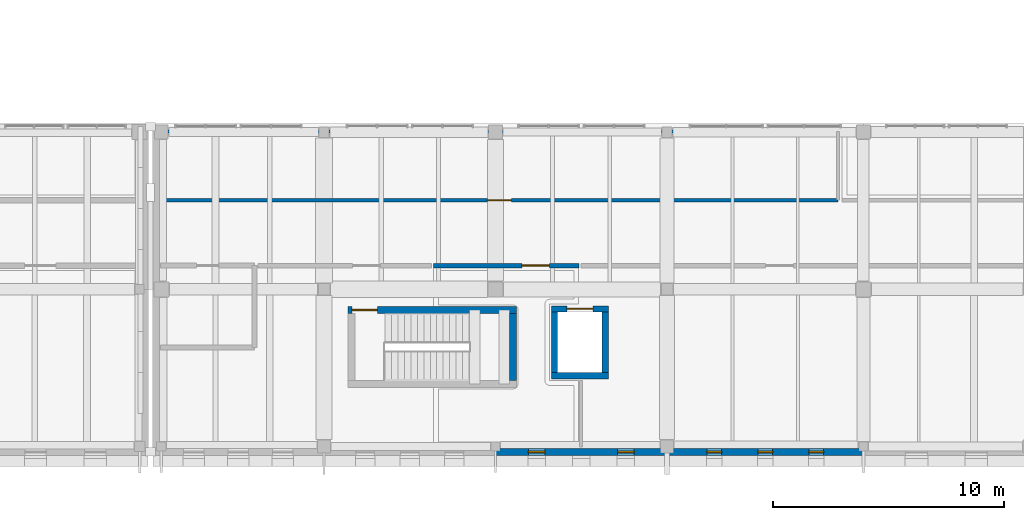
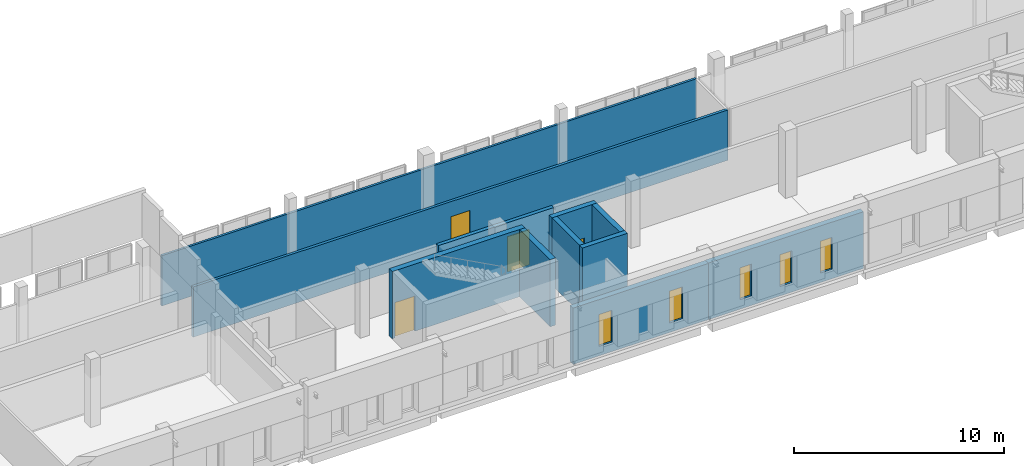
# One storey, part 55 of 76: 11 walls, 5 windows, 4 doors, 9 openings.
"""IFC4 building model written with IfcOpenShell, lengths in metres."""

from ifc_helpers import new_model, si_unit, direction, frame, frame_2d, origin, place, context, subcontext, project, spatial, rectangle, extrude, material, layer, layer_set, type_object, element, fill, save


model = new_model("IFC4")

# Units and contexts
model_context = context("Model", 3, precision=1e-05, world=origin(), true_north=direction((0.0, 1.0)))
body_context = subcontext(model_context, "Body", "Model", "MODEL_VIEW")
ifc_project = project(units=[si_unit("LENGTHUNIT", "METRE"), si_unit("AREAUNIT", "SQUARE_METRE"), si_unit("VOLUMEUNIT", "CUBIC_METRE"), si_unit("PLANEANGLEUNIT", "RADIAN"), si_unit("MASSUNIT", "GRAM", prefix="KILO")], contexts=[model_context])

# Site, building, storey
site_placement = place(None, origin())
site = spatial("IfcSite", under=ifc_project, at=site_placement, CompositionType="ELEMENT")
building_placement = place(site_placement, origin())
building = spatial("IfcBuilding", under=site, at=building_placement, Name="Vardoun Plaza Health Centre", CompositionType="ELEMENT")
storey_placement = place(building_placement, frame((0.0, 0.0, 4.5)))
storey = spatial("IfcBuildingStorey", under=building, at=storey_placement, Name="L01", CompositionType="ELEMENT", Elevation=4.5)

# Walls
ifc_material_1 = material(Name="Concrete C40/50", Category="concrete")
ifc_layer_1 = layer(ifc_material_1, 0.27001953125)
ifc_layer_set_1 = layer_set([ifc_layer_1], Name="Concrete C40/50")
wall_type_1 = type_object("IfcWallType", Name="SW-03", PredefinedType="SHEAR", material=ifc_layer_set_1)
wall_1_placement = place(storey_placement, frame((125.43505859375, 7.949951171875, 0.0), z_axis=(0.0, 0.0, 1.0), x_axis=(-1.0, 0.0, 0.0)))
element("IfcWall", 1, at=wall_1_placement, inside=storey, type_object=wall_type_1, Name="Lift LP-04 L01 Shaft Wall S", PredefinedType="SHEAR", context=body_context, shape_type="SweptSolid", body=[
    extrude(rectangle(XDim=2.469970703125, YDim=0.27001953125, at=frame_2d((1.23486328125, 0.0))), origin(), (0.0, 0.0, 1.0), 3.905029296875),
])
wall_2_placement = place(storey_placement, frame((123.10009765625, 8.0849609375, 0.0), z_axis=(0.0, 0.0, 1.0), x_axis=(0.0, 1.0, 0.0)))
element("IfcWall", 2, at=wall_2_placement, inside=storey, type_object=wall_type_1, Name="Lift LP-04 L01 Shaft Wall W", PredefinedType="SHEAR", context=body_context, shape_type="SweptSolid", body=[
    extrude(rectangle(XDim=2.630126953125, YDim=0.27001953125, at=frame_2d((1.31494140625, 0.0))), origin(), (0.0, 0.0, 1.0), 3.905029296875),
])

# Wall, opening, door
wall_3_placement = place(storey_placement, frame((122.965087890625, 10.85009765625, 0.0), z_axis=(0.0, 0.0, 1.0), x_axis=(1.0, 0.0, 0.0)))
wall_3 = element("IfcWall", 3, at=wall_3_placement, inside=storey, type_object=wall_type_1, Name="Lift LP-04 L01 Shaft Wall N", PredefinedType="SHEAR", context=body_context, shape_type="SweptSolid", body=[
    extrude(rectangle(XDim=2.469970703125, YDim=0.27001953125, at=frame_2d((1.23486328125, 0.0))), origin(), (0.0, 0.0, 1.0), 3.905029296875),
])
opening_1_placement = place(wall_3_placement, frame((0.675048828125, 0.0, 0.0)))
opening_1 = element("IfcOpeningElement", 4, at=opening_1_placement, cuts=wall_3, Name="Opening LD-LP-04-L01", PredefinedType="OPENING", context=body_context, shape_type="SweptSolid", body=[
    extrude(rectangle(XDim=1.1201171875, YDim=2.10009765625, at=frame_2d((0.56005859375, 1.050048828125))), frame((0.0, 0.135009765625, 0.0), z_axis=(0.0, -1.0, 0.0), x_axis=(1.0, 0.0, 0.0)), (0.0, 0.0, 1.0), 0.27001953125),
])
ifc_material_2 = material(Name="Brushed Stainless Steel Grade 316L", Category="steel")
door_type_1 = type_object("IfcDoorType", Name="LD-01", OperationType="DOUBLE_DOOR_SLIDING", PredefinedType="DOOR", material=ifc_material_2)
door_1_placement = place(opening_1_placement, origin())
door_1 = element("IfcDoor", 5, at=door_1_placement, inside=storey, type_object=door_type_1, Name="Lift LP-04 L01 Sliding Landing Door", OperationType="DOUBLE_DOOR_SLIDING", OverallHeight=2.10009765625, OverallWidth=1.1201171875, PredefinedType="DOOR", context=body_context, shape_type="SweptSolid", body=[
    extrude(rectangle(XDim=1.1201171875, YDim=2.10009765625, at=frame_2d((0.56005859375, 1.050048828125))), frame((0.0, 0.02490234375, 0.0), z_axis=(0.0, -1.0, 0.0), x_axis=(1.0, 0.0, 0.0)), (0.0, 0.0, 1.0), 0.050048828125),
])
fill(opening_1, door_1)

# Wall
wall_4_placement = place(storey_placement, frame((125.300048828125, 10.715087890625, 0.0), z_axis=(0.0, 0.0, 1.0), x_axis=(0.0, -1.0, 0.0)))
element("IfcWall", 6, at=wall_4_placement, inside=storey, type_object=wall_type_1, Name="Lift LP-04 L01 Shaft Wall E", PredefinedType="SHEAR", context=body_context, shape_type="SweptSolid", body=[
    extrude(rectangle(XDim=2.630126953125, YDim=0.27001953125, at=frame_2d((1.31494140625, 0.0))), origin(), (0.0, 0.0, 1.0), 3.905029296875),
])

# Wall, opening, door
ifc_material_3 = material(Name="Concrete C40/50", Category="concrete")
ifc_layer_2 = layer(ifc_material_3, 0.300048828125)
ifc_layer_set_2 = layer_set([ifc_layer_2], Name="Concrete C40/50")
wall_type_2 = type_object("IfcWallType", Name="SW-01", PredefinedType="SHEAR", material=ifc_layer_set_2)
wall_5_placement = place(storey_placement, frame((114.14990234375, 10.800048828125, 0.0), z_axis=(0.0, 0.0, 1.0), x_axis=(1.0, 0.0, 0.0)))
wall_5 = element("IfcWall", 7, at=wall_5_placement, inside=storey, type_object=wall_type_2, Name="Core C8 L01 Shear Wall N", PredefinedType="SHEAR", context=body_context, shape_type="SweptSolid", body=[
    extrude(rectangle(XDim=7.300048828125, YDim=0.300048828125, at=frame_2d((3.64990234375, 0.0))), origin(), (0.0, 0.0, 1.0), 3.905029296875),
])
opening_2_placement = place(wall_5_placement, frame((0.159912109375, 0.0, 0.0)))
opening_2 = element("IfcOpeningElement", 8, at=opening_2_placement, cuts=wall_5, Name="Opening SD-C8-L01", PredefinedType="OPENING", context=body_context, shape_type="SweptSolid", body=[
    extrude(rectangle(XDim=1.10009765625, YDim=2.050048828125, at=frame_2d((0.550048828125, 1.02490234375))), frame((0.0, 0.14990234375, 0.0), z_axis=(0.0, -1.0, 0.0), x_axis=(1.0, 0.0, 0.0)), (0.0, 0.0, 1.0), 0.300048828125),
])
ifc_material_4 = material(Name="Brushed Stainless Steel Grade 316L", Category="steel")
door_type_2 = type_object("IfcDoorType", Name="FD-01", OperationType="NOTDEFINED", PredefinedType="DOOR", material=ifc_material_4)
door_2_placement = place(opening_2_placement, origin())
door_2 = element("IfcDoor", 9, at=door_2_placement, inside=storey, type_object=door_type_2, Name="Stair C8 L01 Fire Door", OperationType="SINGLE_SWING_RIGHT", OverallHeight=2.050048828125, OverallWidth=1.10009765625, PredefinedType="DOOR", context=body_context, shape_type="SweptSolid", body=[
    extrude(rectangle(XDim=1.10009765625, YDim=2.050048828125, at=frame_2d((0.550048828125, 1.02490234375))), frame((0.0, 0.02490234375, 0.0), z_axis=(0.0, -1.0, 0.0), x_axis=(1.0, 0.0, 0.0)), (0.0, 0.0, 1.0), 0.050048828125),
])
fill(opening_2, door_2)

# Wall
wall_6_placement = place(storey_placement, frame((121.300048828125, 10.64990234375, 0.0), z_axis=(0.0, 0.0, 1.0), x_axis=(0.0, -1.0, 0.0)))
element("IfcWall", 10, at=wall_6_placement, inside=storey, type_object=wall_type_2, Name="Core C8 L01 Shear Wall E", PredefinedType="SHEAR", context=body_context, shape_type="SweptSolid", body=[
    extrude(rectangle(XDim=2.89990234375, YDim=0.300048828125, at=frame_2d((1.449951171875, 0.0))), origin(), (0.0, 0.0, 1.0), 3.905029296875),
])

# Wall, openings, windows
ifc_material_5 = material(Name="Pale Limestone Concrete C35/45", Category="masonry")
ifc_layer_3 = layer(ifc_material_5, 0.294921875)
ifc_layer_set_3 = layer_set([ifc_layer_3], Name="Pale Limestone Concrete C35/45")
wall_type_3 = type_object("IfcWallType", Name="EW-04", PredefinedType="STANDARD", material=ifc_layer_set_3)
wall_7_placement = place(storey_placement, frame((136.5, 4.6474609375, 0.0), z_axis=(0.0, 0.0, 1.0), x_axis=(-1.0, 0.0, 0.0)))
wall_7 = element("IfcWall", 11, at=wall_7_placement, inside=storey, type_object=wall_type_3, Name="V5 L01 Exterior Wall EW-V5-386", PredefinedType="STANDARD", context=body_context, shape_type="SweptSolid", body=[
    extrude(rectangle(XDim=8.52001953125, YDim=0.294921875, at=frame_2d((4.260009765625, 0.0))), origin(), (0.0, 0.0, 1.0), 3.2900390625),
])
opening_3_placement = place(wall_7_placement, frame((1.724853515625, 0.0, 0.550048828125)))
opening_3 = element("IfcOpeningElement", 12, at=opening_3_placement, cuts=wall_7, Name="Opening W-25-022", PredefinedType="OPENING", context=body_context, shape_type="SweptSolid", body=[
    extrude(rectangle(XDim=0.639892578125, YDim=1.85009765625, at=frame_2d((0.31982421875, 0.925048828125))), frame((0.0, 0.1474609375, 0.0), z_axis=(0.0, -1.0, 0.0), x_axis=(1.0, 0.0, 0.0)), (0.0, 0.0, 1.0), 0.294921875),
])
opening_4_placement = place(wall_7_placement, frame((3.93994140625, 0.0, 0.550048828125)))
opening_4 = element("IfcOpeningElement", 13, at=opening_4_placement, cuts=wall_7, Name="Opening W-25-023", PredefinedType="OPENING", context=body_context, shape_type="SweptSolid", body=[
    extrude(rectangle(XDim=0.639892578125, YDim=1.85009765625, at=frame_2d((0.31982421875, 0.925048828125))), frame((0.0, 0.1474609375, 0.0), z_axis=(0.0, -1.0, 0.0), x_axis=(1.0, 0.0, 0.0)), (0.0, 0.0, 1.0), 0.294921875),
])
opening_5_placement = place(wall_7_placement, frame((6.1552734375, 0.0, 0.550048828125)))
opening_5 = element("IfcOpeningElement", 14, at=opening_5_placement, cuts=wall_7, Name="Opening W-25-024", PredefinedType="OPENING", context=body_context, shape_type="SweptSolid", body=[
    extrude(rectangle(XDim=0.639892578125, YDim=1.85009765625, at=frame_2d((0.31982421875, 0.925048828125))), frame((0.0, 0.1474609375, 0.0), z_axis=(0.0, -1.0, 0.0), x_axis=(1.0, 0.0, 0.0)), (0.0, 0.0, 1.0), 0.294921875),
])
ifc_material_6 = material(Name="Aluminium Alloy EN AW-6063-T6 and Low-E Glass", Category="aluminium")
window_type_1 = type_object("IfcWindowType", Name="W-25", PartitioningType="SINGLE_PANEL", PredefinedType="WINDOW", material=ifc_material_6)
window_1_placement = place(opening_3_placement, origin())
window_1 = element("IfcWindow", 15, at=window_1_placement, inside=storey, type_object=window_type_1, Name="V5 L01 Deep-Punched Slot Window W-25-584", OverallHeight=1.85009765625, OverallWidth=0.639892578125, PartitioningType="SINGLE_PANEL", PredefinedType="WINDOW", context=body_context, shape_type="SweptSolid", body=[
    extrude(rectangle(XDim=0.639892578125, YDim=1.85009765625, at=frame_2d((0.31982421875, 0.925048828125))), frame((0.0, 0.030029296875, 0.0), z_axis=(0.0, -1.0, 0.0), x_axis=(1.0, 0.0, 0.0)), (0.0, 0.0, 1.0), 0.06005859375),
])
fill(opening_3, window_1)
window_2_placement = place(opening_4_placement, origin())
window_2 = element("IfcWindow", 16, at=window_2_placement, inside=storey, type_object=window_type_1, Name="V5 L01 Deep-Punched Slot Window W-25-585", OverallHeight=1.85009765625, OverallWidth=0.639892578125, PartitioningType="SINGLE_PANEL", PredefinedType="WINDOW", context=body_context, shape_type="SweptSolid", body=[
    extrude(rectangle(XDim=0.639892578125, YDim=1.85009765625, at=frame_2d((0.31982421875, 0.925048828125))), frame((0.0, 0.030029296875, 0.0), z_axis=(0.0, -1.0, 0.0), x_axis=(1.0, 0.0, 0.0)), (0.0, 0.0, 1.0), 0.06005859375),
])
fill(opening_4, window_2)
window_3_placement = place(opening_5_placement, origin())
window_3 = element("IfcWindow", 17, at=window_3_placement, inside=storey, type_object=window_type_1, Name="V5 L01 Deep-Punched Slot Window W-25-586", OverallHeight=1.85009765625, OverallWidth=0.639892578125, PartitioningType="SINGLE_PANEL", PredefinedType="WINDOW", context=body_context, shape_type="SweptSolid", body=[
    extrude(rectangle(XDim=0.639892578125, YDim=1.85009765625, at=frame_2d((0.31982421875, 0.925048828125))), frame((0.0, 0.030029296875, 0.0), z_axis=(0.0, -1.0, 0.0), x_axis=(1.0, 0.0, 0.0)), (0.0, 0.0, 1.0), 0.06005859375),
])
fill(opening_5, window_3)

wall_8_placement = place(storey_placement, frame((127.97998046875, 4.6474609375, 0.0), z_axis=(0.0, 0.0, 1.0), x_axis=(-1.0, 0.0, 0.0)))
wall_8 = element("IfcWall", 18, at=wall_8_placement, inside=storey, type_object=wall_type_3, Name="V5 L01 Exterior Wall EW-V5-387", PredefinedType="STANDARD", context=body_context, shape_type="SweptSolid", body=[
    extrude(rectangle(XDim=7.43994140625, YDim=0.294921875, at=frame_2d((3.719970703125, 0.0))), origin(), (0.0, 0.0, 1.0), 3.27001953125),
])
opening_6_placement = place(wall_8_placement, frame((1.425537109375, 0.0, 0.550048828125)))
opening_6 = element("IfcOpeningElement", 19, at=opening_6_placement, cuts=wall_8, Name="Opening W-26-017", PredefinedType="OPENING", context=body_context, shape_type="SweptSolid", body=[
    extrude(rectangle(XDim=0.719970703125, YDim=1.85009765625, at=frame_2d((0.35986328125, 0.925048828125))), frame((0.0, 0.1474609375, 0.0), z_axis=(0.0, -1.0, 0.0), x_axis=(1.0, 0.0, 0.0)), (0.0, 0.0, 1.0), 0.294921875),
])
opening_7_placement = place(wall_8_placement, frame((5.29443359375, 0.0, 0.550048828125)))
opening_7 = element("IfcOpeningElement", 20, at=opening_7_placement, cuts=wall_8, Name="Opening W-26-018", PredefinedType="OPENING", context=body_context, shape_type="SweptSolid", body=[
    extrude(rectangle(XDim=0.719970703125, YDim=1.85009765625, at=frame_2d((0.35986328125, 0.925048828125))), frame((0.0, 0.1474609375, 0.0), z_axis=(0.0, -1.0, 0.0), x_axis=(1.0, 0.0, 0.0)), (0.0, 0.0, 1.0), 0.294921875),
])
ifc_material_7 = material(Name="Aluminium Alloy EN AW-6063-T6 and Low-E Glass", Category="aluminium")
window_type_2 = type_object("IfcWindowType", Name="W-26", PartitioningType="SINGLE_PANEL", PredefinedType="WINDOW", material=ifc_material_7)
window_4_placement = place(opening_6_placement, origin())
window_4 = element("IfcWindow", 21, at=window_4_placement, inside=storey, type_object=window_type_2, Name="V5 L01 Deep-Punched Slot Window W-26-587", OverallHeight=1.85009765625, OverallWidth=0.719970703125, PartitioningType="SINGLE_PANEL", PredefinedType="WINDOW", context=body_context, shape_type="SweptSolid", body=[
    extrude(rectangle(XDim=0.719970703125, YDim=1.85009765625, at=frame_2d((0.35986328125, 0.925048828125))), frame((0.0, 0.030029296875, 0.0), z_axis=(0.0, -1.0, 0.0), x_axis=(1.0, 0.0, 0.0)), (0.0, 0.0, 1.0), 0.06005859375),
])
fill(opening_6, window_4)
window_5_placement = place(opening_7_placement, origin())
window_5 = element("IfcWindow", 22, at=window_5_placement, inside=storey, type_object=window_type_2, Name="V5 L01 Deep-Punched Slot Window W-26-589", OverallHeight=1.85009765625, OverallWidth=0.719970703125, PartitioningType="SINGLE_PANEL", PredefinedType="WINDOW", context=body_context, shape_type="SweptSolid", body=[
    extrude(rectangle(XDim=0.719970703125, YDim=1.85009765625, at=frame_2d((0.35986328125, 0.925048828125))), frame((0.0, 0.030029296875, 0.0), z_axis=(0.0, -1.0, 0.0), x_axis=(1.0, 0.0, 0.0)), (0.0, 0.0, 1.0), 0.06005859375),
])
fill(opening_7, window_5)

# Wall, opening, door
ifc_material_8 = material(Name="Acoustic Gypsum Twin-Stud", Category="steel")
ifc_layer_4 = layer(ifc_material_8, 0.14990234375)
ifc_layer_set_4 = layer_set([ifc_layer_4], Name="Acoustic Gypsum Twin-Stud")
wall_type_4 = type_object("IfcWallType", Name="IW-04", PredefinedType="PARTITIONING", material=ifc_layer_set_4)
wall_9_placement = place(storey_placement, frame((135.39990234375, 15.570068359375, 0.0), z_axis=(0.0, 0.0, 1.0), x_axis=(-1.0, 0.0, 0.0)))
wall_9 = element("IfcWall", 23, at=wall_9_placement, inside=storey, type_object=wall_type_4, Name="Surgical Staff Scrub and Changing Partition Wall", PredefinedType="PARTITIONING", context=body_context, shape_type="SweptSolid", body=[
    extrude(rectangle(XDim=29.389892578125, YDim=0.14990234375, at=frame_2d((14.69482421875, 0.0))), origin(), (0.0, 0.0, 1.0), 2.925048828125),
])
opening_8_placement = place(wall_9_placement, frame((14.175048828125, 0.0, 0.0)))
opening_8 = element("IfcOpeningElement", 24, at=opening_8_placement, cuts=wall_9, Name="Opening D-L01-144", PredefinedType="OPENING", context=body_context, shape_type="SweptSolid", body=[
    extrude(rectangle(XDim=1.0400390625, YDim=2.050048828125, at=frame_2d((0.52001953125, 1.02490234375))), frame((0.0, 0.074951171875, 0.0), z_axis=(0.0, -1.0, 0.0), x_axis=(1.0, 0.0, 0.0)), (0.0, 0.0, 1.0), 0.14990234375),
])
ifc_material_9 = material(Name="Antimicrobial Acoustic Timber and Steel S275JR", Category="steel")
door_type_3 = type_object("IfcDoorType", Name="CD-04", OperationType="NOTDEFINED", PredefinedType="DOOR", material=ifc_material_9)
door_3_placement = place(opening_8_placement, origin())
door_3 = element("IfcDoor", 25, at=door_3_placement, inside=storey, type_object=door_type_3, Name="Surgical Staff Scrub and Changing Door D-L01-144", OperationType="SINGLE_SWING_RIGHT", OverallHeight=2.050048828125, OverallWidth=1.0400390625, PredefinedType="DOOR", context=body_context, shape_type="SweptSolid", body=[
    extrude(rectangle(XDim=1.0400390625, YDim=2.050048828125, at=frame_2d((0.52001953125, 1.02490234375))), frame((0.0, 0.02490234375, 0.0), z_axis=(0.0, -1.0, 0.0), x_axis=(1.0, 0.0, 0.0)), (0.0, 0.0, 1.0), 0.050048828125),
])
fill(opening_8, door_3)

# Wall
ifc_material_10 = material(Name="Standard Clinical Sub-Partition", Category="steel")
ifc_layer_5 = layer(ifc_material_10, 0.125)
ifc_layer_set_5 = layer_set([ifc_layer_5], Name="Standard Clinical Sub-Partition")
wall_type_5 = type_object("IfcWallType", Name="IW-11", PredefinedType="PARTITIONING", material=ifc_layer_set_5)
wall_10_placement = place(storey_placement, frame((106.010009765625, 18.550048828125, 0.0), z_axis=(0.0, 0.0, 1.0), x_axis=(1.0, 0.0, 0.0)))
element("IfcWall", 26, at=wall_10_placement, inside=storey, type_object=wall_type_5, Name="Surgical Staff Scrub and Changing Enclosure Partition", PredefinedType="PARTITIONING", context=body_context, shape_type="SweptSolid", body=[
    extrude(rectangle(XDim=29.389892578125, YDim=0.125, at=frame_2d((14.69482421875, 0.0))), origin(), (0.0, 0.0, 1.0), 2.925048828125),
])

# Wall, opening, door
ifc_material_11 = material(Name="Concrete C35/45", Category="concrete")
ifc_layer_6 = layer(ifc_material_11, 0.199951171875)
ifc_layer_set_6 = layer_set([ifc_layer_6], Name="Concrete C35/45")
wall_type_6 = type_object("IfcWallType", Name="IW-01", PredefinedType="SOLIDWALL", material=ifc_layer_set_6)
wall_11_placement = place(storey_placement, frame((117.840087890625, 12.72998046875, 0.0), z_axis=(0.0, 0.0, 1.0), x_axis=(1.0, 0.0, 0.0)))
wall_11 = element("IfcWall", 27, at=wall_11_placement, inside=storey, type_object=wall_type_6, Name="Theatre Sterile Supply Unit TSSU A Partition Wall", PredefinedType="SOLIDWALL", context=body_context, shape_type="SweptSolid", body=[
    extrude(rectangle(XDim=6.31982421875, YDim=0.199951171875, at=frame_2d((3.159912109375, 0.0))), origin(), (0.0, 0.0, 1.0), 2.925048828125),
])
opening_9_placement = place(wall_11_placement, frame((3.840087890625, 0.0, 0.0)))
opening_9 = element("IfcOpeningElement", 28, at=opening_9_placement, cuts=wall_11, Name="Opening D-L01-147", PredefinedType="OPENING", context=body_context, shape_type="SweptSolid", body=[
    extrude(rectangle(XDim=1.199951171875, YDim=2.050048828125, at=frame_2d((0.60009765625, 1.02490234375))), frame((0.0, 0.10009765625, 0.0), z_axis=(0.0, -1.0, 0.0), x_axis=(1.0, 0.0, 0.0)), (0.0, 0.0, 1.0), 0.199951171875),
])
ifc_material_12 = material(Name="Antimicrobial Acoustic Timber and Steel S275JR", Category="steel")
door_type_4 = type_object("IfcDoorType", Name="FD-04", OperationType="NOTDEFINED", PredefinedType="DOOR", material=ifc_material_12)
door_4_placement = place(opening_9_placement, origin())
door_4 = element("IfcDoor", 29, at=door_4_placement, inside=storey, type_object=door_type_4, Name="Theatre Sterile Supply Unit TSSU A Door D-L01-147", OperationType="SINGLE_SWING_RIGHT", OverallHeight=2.050048828125, OverallWidth=1.199951171875, PredefinedType="DOOR", context=body_context, shape_type="SweptSolid", body=[
    extrude(rectangle(XDim=1.199951171875, YDim=2.050048828125, at=frame_2d((0.60009765625, 1.02490234375))), frame((0.0, 0.02490234375, 0.0), z_axis=(0.0, -1.0, 0.0), x_axis=(1.0, 0.0, 0.0)), (0.0, 0.0, 1.0), 0.050048828125),
])
fill(opening_9, door_4)

save(model, "model.ifc")
